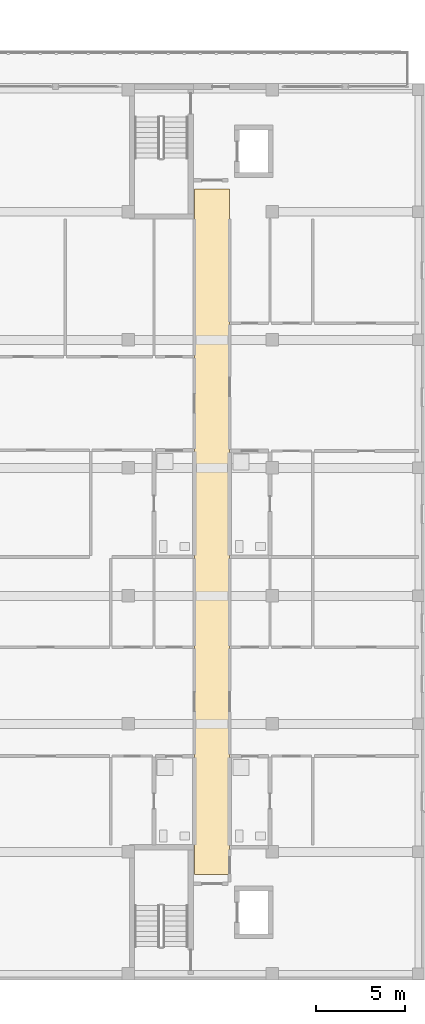
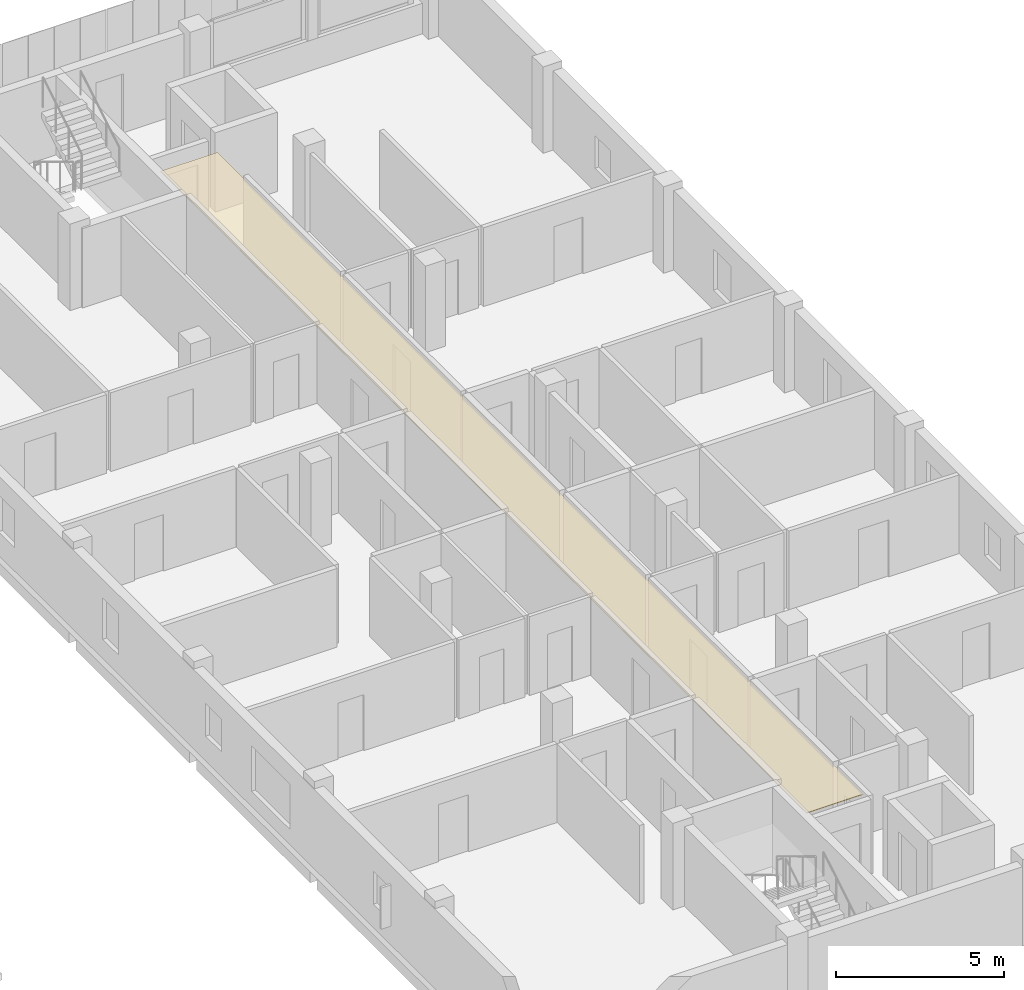
# One storey, part 46 of 51: 1 covering.
"""IFC4 building model written with IfcOpenShell, lengths in metres."""

import ifcopenshell
import ifcopenshell.guid

model = None  # the IFC model being written
_history = None  # IfcOwnerHistory: only IFC2X3 demands one
_inside = {}  # id of a spatial element -> (the spatial element, [elements in it])
_under = {}  # id of a project, library or spatial element -> (it, [spatial elements below it])
_declared = {}  # id of a project -> (the project, [libraries it declares])
_typed = {}  # id of a type object -> (the type object, [elements of that type])
_made_of = {}  # id of a material, layer set ... -> (it, [elements and type objects made of it])


def new_model(schema):
    """Start an empty IFC model of exactly this schema.

    Asked for "IFC4X3", IfcOpenShell would pick the latest addendum, in which some entities
    have other attributes; the version numbers below select the first issue.
    IFC2X3 requires an IfcOwnerHistory on every rooted entity: one is made here for all.
    """
    global model, _history
    if schema == "IFC4X3":
        model = ifcopenshell.file(schema_version=(4, 3, 0, 0))
    else:
        model = ifcopenshell.file(schema=schema)
    _inside.clear()
    _under.clear()
    _declared.clear()
    _typed.clear()
    _made_of.clear()
    _history = None
    if model.schema == "IFC2X3":
        org = make("IfcOrganization", Name="unknown")
        user = make(
            "IfcPersonAndOrganization",
            ThePerson=make("IfcPerson", FamilyName="unknown"),
            TheOrganization=org,
        )
        app = make(
            "IfcApplication",
            ApplicationDeveloper=org,
            Version="unknown",
            ApplicationFullName="unknown",
            ApplicationIdentifier="unknown",
        )
        _history = make(
            "IfcOwnerHistory",
            OwningUser=user,
            OwningApplication=app,
            ChangeAction="ADDED",
            CreationDate=0,
        )
    return model


def make(cls, **values):
    """One entity of the class cls with the attributes given. An attribute that is None is left unset."""
    return model.create_entity(
        cls, **{name: value for name, value in values.items() if value is not None}
    )


def rooted(cls, **values):
    """An entity with a GlobalId (a new one), such as an element, a storey or a relation."""
    return make(cls, GlobalId=ifcopenshell.guid.new(), OwnerHistory=_history, **values)


def si_unit(unit_type, name, prefix=None):
    """IfcSIUnit, for example si_unit("LENGTHUNIT", "METRE", prefix="MILLI")."""
    return make("IfcSIUnit", UnitType=unit_type, Prefix=prefix, Name=name)


def derived_unit(unit_type, elements):
    """IfcDerivedUnit: a product of units, each with its exponent."""
    return make(
        "IfcDerivedUnit",
        Elements=[
            make("IfcDerivedUnitElement", Unit=unit, Exponent=power)
            for unit, power in elements
        ],
        UnitType=unit_type,
    )


def assignment(units):
    """IfcUnitAssignment: the units of a project."""
    return None if units is None else make("IfcUnitAssignment", Units=units)


def point(xyz):
    """IfcCartesianPoint."""
    return None if xyz is None else make("IfcCartesianPoint", Coordinates=xyz)


def direction(xyz):
    """IfcDirection."""
    return None if xyz is None else make("IfcDirection", DirectionRatios=xyz)


def frame(location, z_axis=None, x_axis=None):
    """IfcAxis2Placement3D, a coordinate frame: its origin and axes. An axis left out is left unset."""
    return make(
        "IfcAxis2Placement3D",
        Location=point(location),
        Axis=direction(z_axis),
        RefDirection=direction(x_axis),
    )


def origin():
    """The frame at (0, 0, 0) with its axes left unset."""
    return frame((0.0, 0.0, 0.0))


def place(relative_to, where):
    """IfcLocalPlacement: puts the frame where relative to a parent placement (None: the world)."""
    return make(
        "IfcLocalPlacement", PlacementRelTo=relative_to, RelativePlacement=where
    )


def context(
    kind, dimensions, precision=None, world=None, true_north=None, identifier=None
):
    """IfcGeometricRepresentationContext, for example the 3D "Model" context."""
    return make(
        "IfcGeometricRepresentationContext",
        ContextIdentifier=identifier,
        ContextType=kind,
        CoordinateSpaceDimension=dimensions,
        Precision=precision,
        WorldCoordinateSystem=world,
        TrueNorth=true_north,
    )


def subcontext(parent, identifier, kind, view, scale=None):
    """IfcGeometricRepresentationSubContext, for example "Body" below "Model"."""
    return make(
        "IfcGeometricRepresentationSubContext",
        ContextIdentifier=identifier,
        ContextType=kind,
        ParentContext=parent,
        TargetScale=scale,
        TargetView=view,
    )


def project(units=None, contexts=None):
    """IfcProject with its units and contexts."""
    return rooted(
        "IfcProject",
        Name="project",
        RepresentationContexts=contexts,
        UnitsInContext=assignment(units),
    )


def spatial(cls, under=None, at=None, **own):
    """A site, building, storey or space (cls), placed at a placement, below another one or the project."""
    s = rooted(cls, ObjectPlacement=at, **own)
    if under is not None:
        _under.setdefault(under.id(), (under, []))[1].append(s)
    return s


def polyline(points):
    """IfcPolyline through the points."""
    return make("IfcPolyline", Points=[point(p) for p in points])


def outline(outer, holes=None, kind="AREA"):
    """IfcArbitraryClosedProfileDef: a profile drawn as a closed curve; with holes, ...WithVoids."""
    if holes is None:
        return make("IfcArbitraryClosedProfileDef", ProfileType=kind, OuterCurve=outer)
    return make(
        "IfcArbitraryProfileDefWithVoids",
        ProfileType=kind,
        OuterCurve=outer,
        InnerCurves=holes,
    )


def extrude(swept, where, along, depth):
    """IfcExtrudedAreaSolid: the profile swept, set in the frame where, extruded along a direction by depth."""
    return make(
        "IfcExtrudedAreaSolid",
        SweptArea=swept,
        Position=where,
        ExtrudedDirection=direction(along),
        Depth=depth,
    )


def shape(context_of_items, identifier, shape_type, items):
    """IfcShapeRepresentation: the items that make up one representation, for example the "Body"."""
    return make(
        "IfcShapeRepresentation",
        ContextOfItems=context_of_items,
        RepresentationIdentifier=identifier,
        RepresentationType=shape_type,
        Items=items,
    )


def material(Name=None, Category=None):
    """IfcMaterial."""
    return make("IfcMaterial", Name=Name, Category=Category)


def layer(
    of_material, thickness, ventilated=None, Name=None, Category=None, Priority=None
):
    """IfcMaterialLayer: one layer of a wall or slab, of a material (None: an air gap)."""
    return make(
        "IfcMaterialLayer",
        Material=of_material,
        LayerThickness=thickness,
        IsVentilated=ventilated,
        Name=Name,
        Category=Category,
        Priority=Priority,
    )


def layer_set(layers, Name=None):
    """IfcMaterialLayerSet."""
    return make("IfcMaterialLayerSet", MaterialLayers=layers, LayerSetName=Name)


def made_of(thing, what):
    """Note that an element or type object is made of a material, layer set ...; save() writes the relation."""
    if what is not None:
        _made_of.setdefault(what.id(), (what, []))[1].append(thing)
    return thing


def type_object(cls, material=None, **own):
    """A type object (cls), such as IfcWallType, which elements share."""
    return made_of(rooted(cls, **own), material)


def element(
    cls,
    number,
    at=None,
    inside=None,
    cuts=None,
    type_object=None,
    material=None,
    context=None,
    identifier="Body",
    shape_type=None,
    held_by="IfcProductDefinitionShape",
    body=None,
    shapes=None,
    **own,
):
    """One element of the class cls, such as IfcWall. Its Tag is "e" and its number.

    at: its placement. inside: the storey or other place that contains it. cuts: it is an
    opening in that element (IfcRelVoidsElement). A single representation is given by context,
    identifier, shape_type and body (its items); several are given by shapes. held_by: the class
    of the entity that holds the representations. save() writes the other relations.
    """
    e = rooted(cls, Tag="e%d" % number, ObjectPlacement=at, **own)
    if body is not None:
        shapes = [shape(context, identifier, shape_type, body)]
    if shapes is not None:
        e.Representation = make(held_by, Representations=shapes)
    if inside is not None:
        _inside.setdefault(inside.id(), (inside, []))[1].append(e)
    if cuts is not None:
        rooted(
            "IfcRelVoidsElement", RelatingBuildingElement=cuts, RelatedOpeningElement=e
        )
    if type_object is not None:
        _typed.setdefault(type_object.id(), (type_object, []))[1].append(e)
    return made_of(e, material)


def aggregate(whole, parts):
    """IfcRelAggregates: a whole, such as a stair, and the parts it consists of."""
    return rooted("IfcRelAggregates", RelatingObject=whole, RelatedObjects=parts)


def save(model, path):
    """Write the relations noted so far, then the file.

    IfcRelAggregates (storeys below a building ...), IfcRelContainedInSpatialStructure (elements
    in a storey), IfcRelDefinesByType, IfcRelAssociatesMaterial and IfcRelDeclares: one each for
    every whole, place, type object, material and project.
    """
    for whole, parts in _under.values():
        aggregate(whole, parts)
    for where, things in _inside.values():
        rooted(
            "IfcRelContainedInSpatialStructure",
            RelatedElements=things,
            RelatingStructure=where,
        )
    for kind, things in _typed.values():
        rooted("IfcRelDefinesByType", RelatedObjects=things, RelatingType=kind)
    for what, things in _made_of.values():
        rooted("IfcRelAssociatesMaterial", RelatedObjects=things, RelatingMaterial=what)
    for by, libraries in _declared.values():
        rooted("IfcRelDeclares", RelatingContext=by, RelatedDefinitions=libraries)
    model.write(path)


model = new_model("IFC4")

# Units and contexts
model_context = context("Model", 3, precision=1e-05, world=origin(), true_north=direction((0.0, 1.0)))
body_context = subcontext(model_context, "Body", "Model", "MODEL_VIEW")
ifc_project = project(units=[si_unit("LENGTHUNIT", "METRE"), si_unit("AREAUNIT", "SQUARE_METRE"), si_unit("VOLUMEUNIT", "CUBIC_METRE"), si_unit("PLANEANGLEUNIT", "RADIAN"), si_unit("MASSUNIT", "GRAM", prefix="KILO"), derived_unit("THERMALTRANSMITTANCEUNIT", [(si_unit("MASSUNIT", "GRAM", prefix="KILO"), 1), (si_unit("TIMEUNIT", "SECOND"), -3), (si_unit("THERMODYNAMICTEMPERATUREUNIT", "KELVIN"), -1)])], contexts=[model_context])

# Site, building, storey
site_placement = place(None, origin())
site = spatial("IfcSite", under=ifc_project, at=site_placement, CompositionType="ELEMENT")
building_placement = place(site_placement, origin())
building = spatial("IfcBuilding", under=site, at=building_placement, Name="Ochrekiln Boulevard Commons", CompositionType="ELEMENT")
storey_placement = place(building_placement, frame((0.0, 0.0, 15.22509765625)))
storey = spatial("IfcBuildingStorey", under=building, at=storey_placement, Name="L04", CompositionType="ELEMENT", Elevation=15.22509765625)

# Covering
ifc_material = material(Name="Mineral-fibre acoustic ceiling tile")
ifc_layer = layer(ifc_material, 0.02490234375)
ifc_layer_set = layer_set([ifc_layer], Name="Mineral-fibre acoustic ceiling tile")
covering_type = type_object("IfcCoveringType", Name="COV-CEIL-AC", PredefinedType="CEILING", material=ifc_layer_set)
covering_placement = place(storey_placement, frame((0.0, 0.0, 2.64990234375)))
element("IfcCovering", 1, at=covering_placement, inside=storey, type_object=covering_type, Name="L04 Acoustic Corridor Ceiling 45", PredefinedType="CEILING", context=body_context, shape_type="SweptSolid", body=[
    extrude(outline(polyline([(159.8701171875, 5.919921875), (161.830078125, 5.919921875), (161.830078125, 44.47998046875), (159.8701171875, 44.47998046875), (159.8701171875, 5.919921875)])), origin(), (0.0, 0.0, 1.0), 0.02490234375),
])

save(model, "model.ifc")
